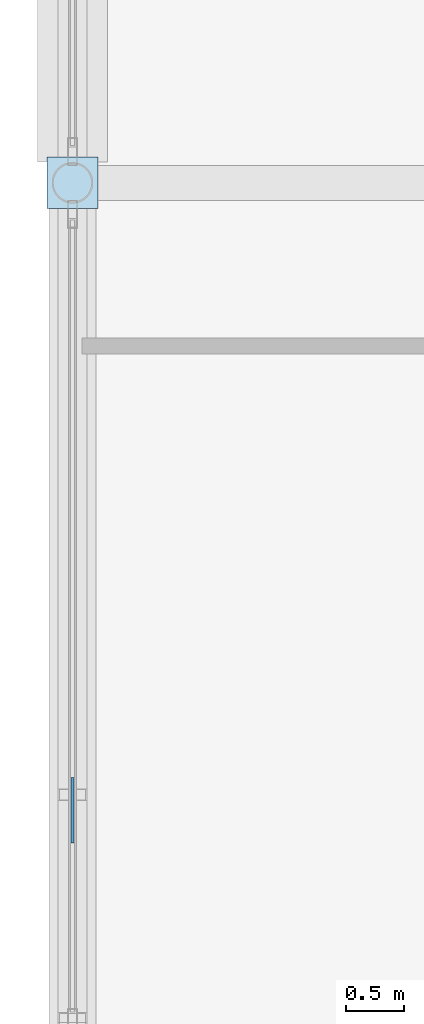
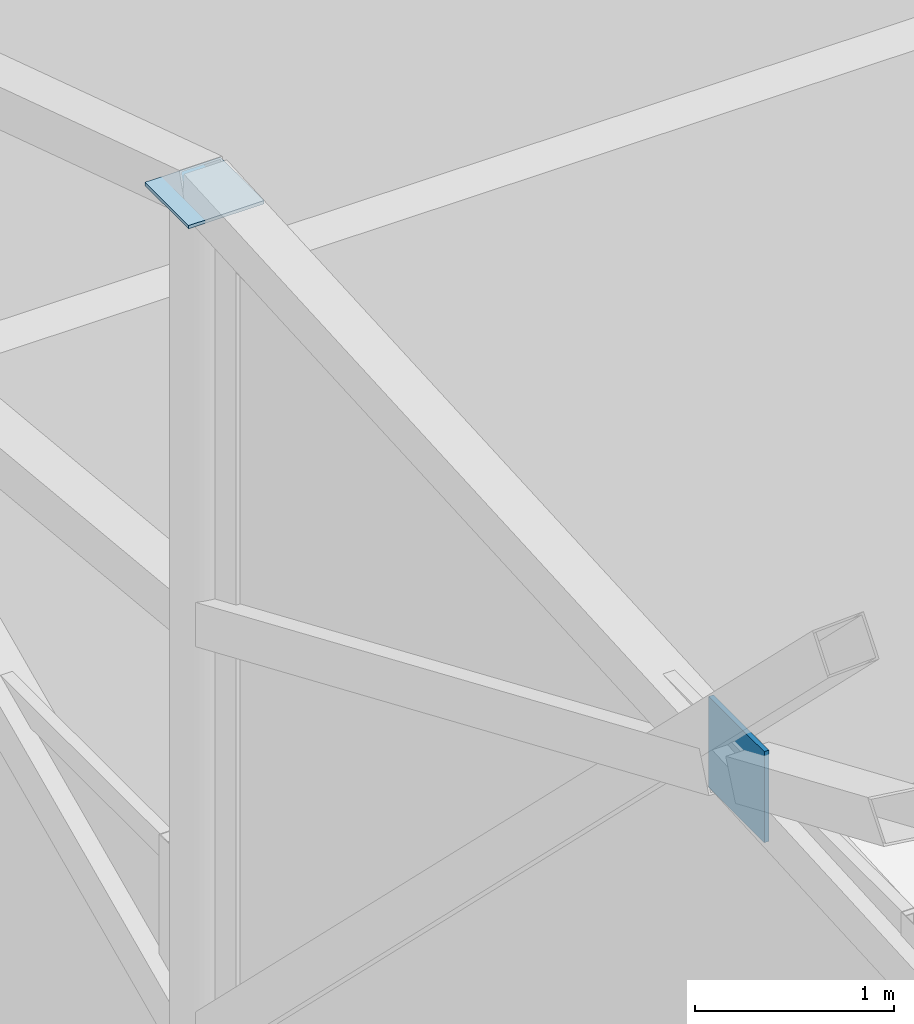
# One storey, part 141 of 220: 2 plates.
"""IFC4 building model written with IfcOpenShell, lengths in metres."""

from ifc_helpers import new_model, si_unit, direction, frame, origin, origin_2d, place, context, subcontext, project, spatial, rectangle, extrude, material, layer, layer_set, type_object, element, save


model = new_model("IFC4")

# Units and contexts
model_context = context("Model", 3, precision=1e-05, world=origin(), true_north=direction((0.0, 1.0)))
body_context = subcontext(model_context, "Body", "Model", "MODEL_VIEW")
ifc_project = project(units=[si_unit("LENGTHUNIT", "METRE"), si_unit("AREAUNIT", "SQUARE_METRE"), si_unit("VOLUMEUNIT", "CUBIC_METRE"), si_unit("PLANEANGLEUNIT", "RADIAN"), si_unit("MASSUNIT", "GRAM", prefix="KILO")], contexts=[model_context])

# Site, building, storey
site_placement = place(None, origin())
site = spatial("IfcSite", under=ifc_project, at=site_placement, CompositionType="ELEMENT")
building_placement = place(site_placement, origin())
building = spatial("IfcBuilding", under=site, at=building_placement, Name="Cendralis Lancet Convention Centre", CompositionType="ELEMENT")
storey_placement = place(building_placement, frame((0.0, 0.0, 5.39990234375)))
storey = spatial("IfcBuildingStorey", under=building, at=storey_placement, Name="L01", CompositionType="ELEMENT", Elevation=5.39990234375)

# Plates
ifc_material = material(Name="Steel S355", Category="steel")
ifc_layer_1 = layer(ifc_material, 0.02001953125, Name="Steel S355")
ifc_layer_set_1 = layer_set([ifc_layer_1], Name="Steel S355")
plate_type_1 = type_object("IfcPlateType", Name="STR-PL-CC20", PredefinedType="USERDEFINED", material=ifc_layer_set_1)
plate_1_placement = place(storey_placement, frame((0.0, 122.39990234375, 11.0009765625), z_axis=(0.0, 0.0, 1.0), x_axis=(1.0, 0.0, 0.0)))
element("IfcPlate", 1, at=plate_1_placement, inside=storey, type_object=plate_type_1, Name="Hollow Column Top Cap Plate L01 #009", ObjectType="GUSSET PLATE", PredefinedType="USERDEFINED", context=body_context, shape_type="SweptSolid", body=[
    extrude(rectangle(XDim=0.43994140625, YDim=0.43994140625, at=origin_2d()), origin(), (0.0, 0.0, 1.0), 0.02001953125),
])
ifc_layer_2 = layer(ifc_material, 0.028076171875, Name="Steel S355")
ifc_layer_set_2 = layer_set([ifc_layer_2], Name="Steel S355")
plate_type_2 = type_object("IfcPlateType", Name="STR-PL-GP28B", PredefinedType="USERDEFINED", material=ifc_layer_set_2)
plate_2_placement = place(storey_placement, frame((0.0, 117.02099609375, 10.454345703125), z_axis=(0.0, 0.0, 1.0), x_axis=(0.0, 1.0, 0.0)))
element("IfcPlate", 2, at=plate_2_placement, inside=storey, type_object=plate_type_2, Name="Gable X-Brace Crossing Gusset Node Plate GP-28B 0-108", ObjectType="GUSSET PLATE", PredefinedType="USERDEFINED", context=body_context, shape_type="SweptSolid", body=[
    extrude(rectangle(XDim=0.56005859375, YDim=0.028076171875, at=origin_2d()), origin(), (0.0, 0.0, 1.0), 0.56005859375),
])

save(model, "model.ifc")
